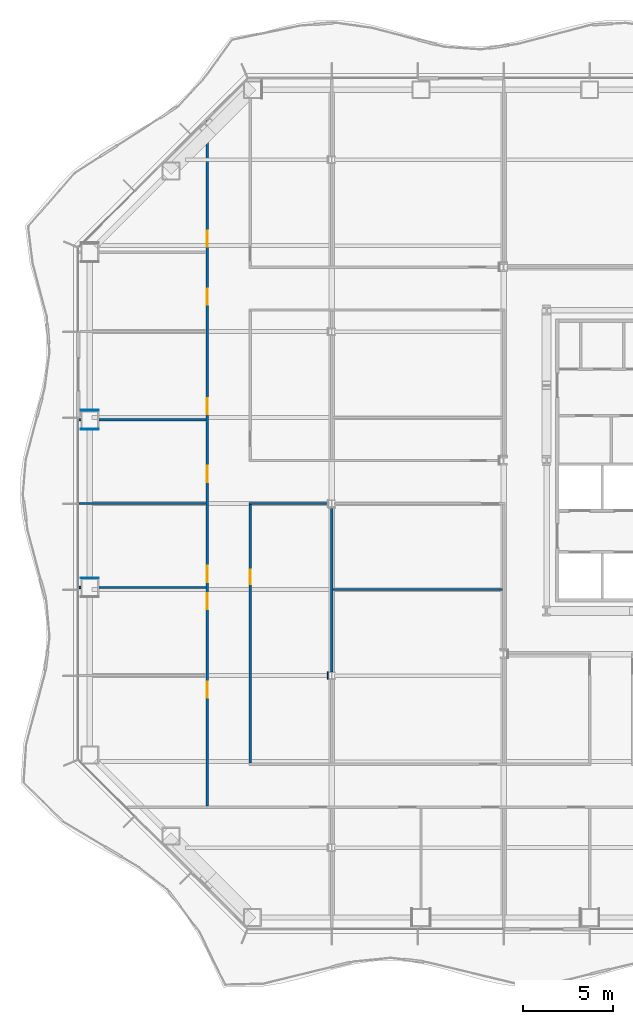
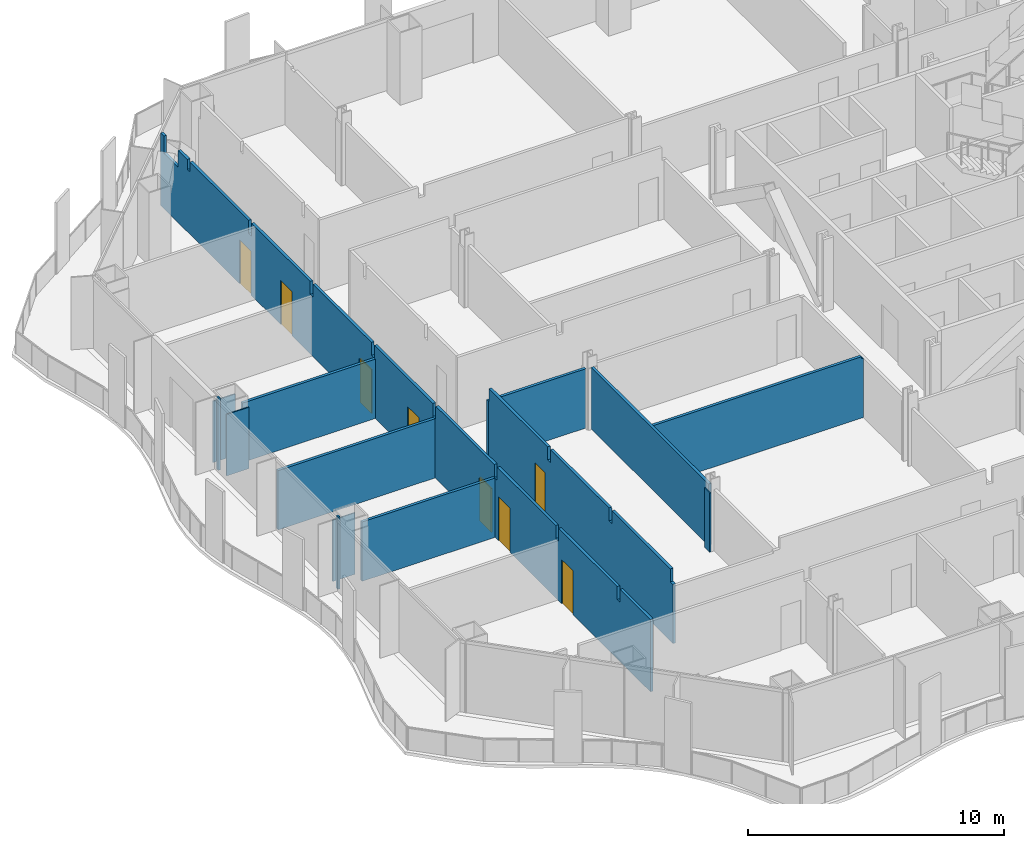
# One storey, part 8 of 20: 14 walls, 8 doors, 8 openings.
"""IFC4 building model written with IfcOpenShell, lengths in metres."""

from ifc_helpers import new_model, si_unit, direction, frame, frame_2d, origin, place, context, subcontext, project, spatial, polyline, rectangle, outline, extrude, material, layer, layer_set, type_object, element, fill, save


model = new_model("IFC4")

# Units and contexts
model_context = context("Model", 3, precision=1e-05, world=origin(), true_north=direction((0.0, 1.0)))
body_context = subcontext(model_context, "Body", "Model", "MODEL_VIEW")
ifc_project = project(units=[si_unit("LENGTHUNIT", "METRE"), si_unit("AREAUNIT", "SQUARE_METRE"), si_unit("VOLUMEUNIT", "CUBIC_METRE"), si_unit("PLANEANGLEUNIT", "RADIAN"), si_unit("MASSUNIT", "GRAM", prefix="KILO")], contexts=[model_context])

# Site, building, storey
site_placement = place(None, origin())
site = spatial("IfcSite", under=ifc_project, at=site_placement, CompositionType="ELEMENT")
building_placement = place(site_placement, origin())
building = spatial("IfcBuilding", under=site, at=building_placement, Name="Cairn Pilgrim Tower", CompositionType="ELEMENT")
storey_placement = place(building_placement, frame((0.0, 0.0, 51.0)))
storey = spatial("IfcBuildingStorey", under=building, at=storey_placement, Name="L10", CompositionType="ELEMENT", Elevation=51.0)

# Wall, openings, doors
ifc_material_1 = material(Name="Gypsum partition")
ifc_layer_1 = layer(ifc_material_1, 0.125)
ifc_layer_set_1 = layer_set([ifc_layer_1], Name="PARTITION 125 DRYWALL EI 60")
wall_type_1 = type_object("IfcWallType", Name="PARTITION 125 DRYWALL EI 60", PredefinedType="PARTITIONING", material=ifc_layer_set_1)
wall_1_placement = place(storey_placement, frame((-21.35009765625, -16.887451171875, 0.0), z_axis=(0.0, 0.0, 1.0), x_axis=(0.0, 1.0, 0.0)))
wall_1 = element("IfcWall", 1, at=wall_1_placement, inside=storey, type_object=wall_type_1, Name="PARTITION W014", PredefinedType="PARTITIONING", context=body_context, shape_type="SweptSolid", body=[
    extrude(outline(polyline([(0.0, 0.0), (38.276123046875, 0.0), (38.276123046875, 3.449951171875), (38.022216796875, 3.449951171875), (38.020263671875, 2.6298828125), (36.9072265625, 2.6298828125), (36.9052734375, 3.449951171875), (36.1826171875, 3.449951171875), (36.180419921875, 2.97998046875), (35.992431640625, 2.97998046875), (35.990478515625, 3.449951171875), (31.3974609375, 3.449951171875), (31.3955078125, 2.830078125), (31.177490234375, 2.830078125), (31.175537109375, 3.449951171875), (26.597412109375, 3.449951171875), (26.595458984375, 2.830078125), (26.37744140625, 2.830078125), (26.37548828125, 3.449951171875), (21.797607421875, 3.449951171875), (21.79541015625, 2.830078125), (21.577392578125, 2.830078125), (21.575439453125, 3.449951171875), (16.99755859375, 3.449951171875), (16.99560546875, 2.830078125), (16.777587890625, 2.830078125), (16.775390625, 3.449951171875), (12.197509765625, 3.449951171875), (12.195556640625, 2.830078125), (11.9775390625, 2.830078125), (11.9755859375, 3.449951171875), (7.3974609375, 3.449951171875), (7.3955078125, 2.830078125), (7.177490234375, 2.830078125), (7.175537109375, 3.449951171875), (2.597412109375, 3.449951171875), (2.595458984375, 2.830078125), (2.37744140625, 2.830078125), (2.37548828125, 3.449951171875), (0.0, 3.449951171875), (0.0, 0.0)])), frame((0.0, 0.0625, 0.0), z_axis=(0.0, -1.0, 0.0), x_axis=(1.0, 0.0, 0.0)), (0.0, 0.0, 1.0), 0.125),
])
opening_1_placement = place(wall_1_placement, frame((6.03759765625, 0.0, 0.0)))
opening_1 = element("IfcOpeningElement", 2, at=opening_1_placement, cuts=wall_1, Name="Opening 1009", PredefinedType="OPENING", context=body_context, shape_type="SweptSolid", body=[
    extrude(rectangle(XDim=0.89990234375, YDim=2.10009765625, at=frame_2d((0.449951171875, 1.050048828125))), frame((0.0, 0.072509765625, 0.0), z_axis=(0.0, -1.0, 0.0), x_axis=(1.0, 0.0, 0.0)), (0.0, 0.0, 1.0), 0.14501953125),
])
opening_2_placement = place(wall_1_placement, frame((10.987548828125, 0.0, 0.0)))
opening_2 = element("IfcOpeningElement", 3, at=opening_2_placement, cuts=wall_1, Name="Opening 1010", PredefinedType="OPENING", context=body_context, shape_type="SweptSolid", body=[
    extrude(rectangle(XDim=0.89990234375, YDim=2.10009765625, at=frame_2d((0.449951171875, 1.050048828125))), frame((0.0, 0.072509765625, 0.0), z_axis=(0.0, -1.0, 0.0), x_axis=(1.0, 0.0, 0.0)), (0.0, 0.0, 1.0), 0.14501953125),
])
opening_3_placement = place(wall_1_placement, frame((12.511474609375, 0.0, 0.0)))
opening_3 = element("IfcOpeningElement", 4, at=opening_3_placement, cuts=wall_1, Name="Opening 1011", PredefinedType="OPENING", context=body_context, shape_type="SweptSolid", body=[
    extrude(rectangle(XDim=0.89990234375, YDim=2.10009765625, at=frame_2d((0.449951171875, 1.050048828125))), frame((0.0, 0.072509765625, 0.0), z_axis=(0.0, -1.0, 0.0), x_axis=(1.0, 0.0, 0.0)), (0.0, 0.0, 1.0), 0.14501953125),
])
opening_4_placement = place(wall_1_placement, frame((18.08740234375, 0.0, 0.0)))
opening_4 = element("IfcOpeningElement", 5, at=opening_4_placement, cuts=wall_1, Name="Opening 1012", PredefinedType="OPENING", context=body_context, shape_type="SweptSolid", body=[
    extrude(rectangle(XDim=0.89990234375, YDim=2.10009765625, at=frame_2d((0.449951171875, 1.050048828125))), frame((0.0, 0.072509765625, 0.0), z_axis=(0.0, -1.0, 0.0), x_axis=(1.0, 0.0, 0.0)), (0.0, 0.0, 1.0), 0.14501953125),
])
opening_5_placement = place(wall_1_placement, frame((21.863525390625, 0.0, 0.0)))
opening_5 = element("IfcOpeningElement", 6, at=opening_5_placement, cuts=wall_1, Name="Opening 1013", PredefinedType="OPENING", context=body_context, shape_type="SweptSolid", body=[
    extrude(rectangle(XDim=0.89990234375, YDim=2.10009765625, at=frame_2d((0.449951171875, 1.050048828125))), frame((0.0, 0.072509765625, 0.0), z_axis=(0.0, -1.0, 0.0), x_axis=(1.0, 0.0, 0.0)), (0.0, 0.0, 1.0), 0.14501953125),
])
opening_6_placement = place(wall_1_placement, frame((27.987548828125, 0.0, 0.0)))
opening_6 = element("IfcOpeningElement", 7, at=opening_6_placement, cuts=wall_1, Name="Opening 1014", PredefinedType="OPENING", context=body_context, shape_type="SweptSolid", body=[
    extrude(rectangle(XDim=0.89990234375, YDim=2.10009765625, at=frame_2d((0.449951171875, 1.050048828125))), frame((0.0, 0.072509765625, 0.0), z_axis=(0.0, -1.0, 0.0), x_axis=(1.0, 0.0, 0.0)), (0.0, 0.0, 1.0), 0.14501953125),
])
opening_7_placement = place(wall_1_placement, frame((31.214599609375, 0.0, 0.0)))
opening_7 = element("IfcOpeningElement", 8, at=opening_7_placement, cuts=wall_1, Name="Opening 1015", PredefinedType="OPENING", context=body_context, shape_type="SweptSolid", body=[
    extrude(rectangle(XDim=0.89990234375, YDim=2.10009765625, at=frame_2d((0.449951171875, 1.050048828125))), frame((0.0, 0.072509765625, 0.0), z_axis=(0.0, -1.0, 0.0), x_axis=(1.0, 0.0, 0.0)), (0.0, 0.0, 1.0), 0.14501953125),
])
ifc_material_2 = material(Name="Steel-faced fire door leaf", Category="steel")
door_type_1 = type_object("IfcDoorType", Name="FIRE DOOR 900x2100 FD30S", OperationType="NOTDEFINED", PredefinedType="DOOR", material=ifc_material_2)
door_1_placement = place(opening_1_placement, origin())
door_1 = element("IfcDoor", 9, at=door_1_placement, inside=storey, type_object=door_type_1, Name="DOOR 1009", OperationType="SINGLE_SWING_RIGHT", OverallHeight=2.10009765625, OverallWidth=0.89990234375, PredefinedType="DOOR", context=body_context, shape_type="SweptSolid", body=[
    extrude(rectangle(XDim=0.89990234375, YDim=2.10009765625, at=frame_2d((0.449951171875, 1.050048828125))), frame((0.0, 0.02490234375, 0.0), z_axis=(0.0, -1.0, 0.0), x_axis=(1.0, 0.0, 0.0)), (0.0, 0.0, 1.0), 0.050048828125),
])
fill(opening_1, door_1)
door_2_placement = place(opening_2_placement, origin())
door_2 = element("IfcDoor", 10, at=door_2_placement, inside=storey, type_object=door_type_1, Name="DOOR 1010", OperationType="SINGLE_SWING_LEFT", OverallHeight=2.10009765625, OverallWidth=0.89990234375, PredefinedType="DOOR", context=body_context, shape_type="SweptSolid", body=[
    extrude(rectangle(XDim=0.89990234375, YDim=2.10009765625, at=frame_2d((0.449951171875, 1.050048828125))), frame((0.0, 0.02490234375, 0.0), z_axis=(0.0, -1.0, 0.0), x_axis=(1.0, 0.0, 0.0)), (0.0, 0.0, 1.0), 0.050048828125),
])
fill(opening_2, door_2)
door_3_placement = place(opening_3_placement, origin())
door_3 = element("IfcDoor", 11, at=door_3_placement, inside=storey, type_object=door_type_1, Name="DOOR 1011", OperationType="SINGLE_SWING_RIGHT", OverallHeight=2.10009765625, OverallWidth=0.89990234375, PredefinedType="DOOR", context=body_context, shape_type="SweptSolid", body=[
    extrude(rectangle(XDim=0.89990234375, YDim=2.10009765625, at=frame_2d((0.449951171875, 1.050048828125))), frame((0.0, 0.02490234375, 0.0), z_axis=(0.0, -1.0, 0.0), x_axis=(1.0, 0.0, 0.0)), (0.0, 0.0, 1.0), 0.050048828125),
])
fill(opening_3, door_3)
door_4_placement = place(opening_4_placement, origin())
door_4 = element("IfcDoor", 12, at=door_4_placement, inside=storey, type_object=door_type_1, Name="DOOR 1012", OperationType="SINGLE_SWING_LEFT", OverallHeight=2.10009765625, OverallWidth=0.89990234375, PredefinedType="DOOR", context=body_context, shape_type="SweptSolid", body=[
    extrude(rectangle(XDim=0.89990234375, YDim=2.10009765625, at=frame_2d((0.449951171875, 1.050048828125))), frame((0.0, 0.02490234375, 0.0), z_axis=(0.0, -1.0, 0.0), x_axis=(1.0, 0.0, 0.0)), (0.0, 0.0, 1.0), 0.050048828125),
])
fill(opening_4, door_4)
door_5_placement = place(opening_5_placement, origin())
door_5 = element("IfcDoor", 13, at=door_5_placement, inside=storey, type_object=door_type_1, Name="DOOR 1013", OperationType="SINGLE_SWING_RIGHT", OverallHeight=2.10009765625, OverallWidth=0.89990234375, PredefinedType="DOOR", context=body_context, shape_type="SweptSolid", body=[
    extrude(rectangle(XDim=0.89990234375, YDim=2.10009765625, at=frame_2d((0.449951171875, 1.050048828125))), frame((0.0, 0.02490234375, 0.0), z_axis=(0.0, -1.0, 0.0), x_axis=(1.0, 0.0, 0.0)), (0.0, 0.0, 1.0), 0.050048828125),
])
fill(opening_5, door_5)
door_6_placement = place(opening_6_placement, origin())
door_6 = element("IfcDoor", 14, at=door_6_placement, inside=storey, type_object=door_type_1, Name="DOOR 1014", OperationType="SINGLE_SWING_LEFT", OverallHeight=2.10009765625, OverallWidth=0.89990234375, PredefinedType="DOOR", context=body_context, shape_type="SweptSolid", body=[
    extrude(rectangle(XDim=0.89990234375, YDim=2.10009765625, at=frame_2d((0.449951171875, 1.050048828125))), frame((0.0, 0.02490234375, 0.0), z_axis=(0.0, -1.0, 0.0), x_axis=(1.0, 0.0, 0.0)), (0.0, 0.0, 1.0), 0.050048828125),
])
fill(opening_6, door_6)
door_7_placement = place(opening_7_placement, origin())
door_7 = element("IfcDoor", 15, at=door_7_placement, inside=storey, type_object=door_type_1, Name="DOOR 1015", OperationType="SINGLE_SWING_RIGHT", OverallHeight=2.10009765625, OverallWidth=0.89990234375, PredefinedType="DOOR", context=body_context, shape_type="SweptSolid", body=[
    extrude(rectangle(XDim=0.89990234375, YDim=2.10009765625, at=frame_2d((0.449951171875, 1.050048828125))), frame((0.0, 0.02490234375, 0.0), z_axis=(0.0, -1.0, 0.0), x_axis=(1.0, 0.0, 0.0)), (0.0, 0.0, 1.0), 0.050048828125),
])
fill(opening_7, door_7)

# Wall, opening, door
wall_2_placement = place(storey_placement, frame((-18.949951171875, -14.487548828125, 0.0), z_axis=(0.0, 0.0, 1.0), x_axis=(0.0, 1.0, 0.0)))
wall_2 = element("IfcWall", 16, at=wall_2_placement, inside=storey, type_object=wall_type_1, Name="PARTITION W018", PredefinedType="PARTITIONING", context=body_context, shape_type="SweptSolid", body=[
    extrude(outline(polyline([(0.0, 0.0), (14.425048828125, 0.0), (14.425048828125, 2.830078125), (14.37744140625, 2.830078125), (14.37548828125, 3.449951171875), (9.797607421875, 3.449951171875), (9.79541015625, 2.830078125), (9.577392578125, 2.830078125), (9.575439453125, 3.449951171875), (4.99755859375, 3.449951171875), (4.99560546875, 2.830078125), (4.777587890625, 2.830078125), (4.775390625, 3.449951171875), (0.197509765625, 3.449951171875), (0.195556640625, 2.830078125), (0.0, 2.830078125), (0.0, 0.0)])), frame((0.0, 0.0625, 0.0), z_axis=(0.0, -1.0, 0.0), x_axis=(1.0, 0.0, 0.0)), (0.0, 0.0, 1.0), 0.125),
])
opening_8_placement = place(wall_2_placement, frame((9.987548828125, 0.0, 0.0)))
opening_8 = element("IfcOpeningElement", 17, at=opening_8_placement, cuts=wall_2, Name="Opening 1032", PredefinedType="OPENING", context=body_context, shape_type="SweptSolid", body=[
    extrude(rectangle(XDim=0.800048828125, YDim=2.10009765625, at=frame_2d((0.39990234375, 1.050048828125))), frame((0.0, 0.072509765625, 0.0), z_axis=(0.0, -1.0, 0.0), x_axis=(1.0, 0.0, 0.0)), (0.0, 0.0, 1.0), 0.14501953125),
])
door_type_2 = type_object("IfcDoorType", Name="FIRE DOOR 800x2100 FD30S", OperationType="NOTDEFINED", PredefinedType="DOOR", material=ifc_material_2)
door_8_placement = place(opening_8_placement, frame((0.800048828125, 0.0, 0.0), z_axis=(0.0, 0.0, 1.0), x_axis=(-1.0, 0.0, 0.0)))
door_8 = element("IfcDoor", 18, at=door_8_placement, inside=storey, type_object=door_type_2, Name="DOOR 1032", OperationType="SINGLE_SWING_LEFT", OverallHeight=2.10009765625, OverallWidth=0.800048828125, PredefinedType="DOOR", context=body_context, shape_type="SweptSolid", body=[
    extrude(rectangle(XDim=0.800048828125, YDim=2.10009765625, at=frame_2d((0.39990234375, 1.050048828125))), frame((0.0, 0.02490234375, 0.0), z_axis=(0.0, -1.0, 0.0), x_axis=(1.0, 0.0, 0.0)), (0.0, 0.0, 1.0), 0.050048828125),
])
fill(opening_8, door_8)

# Walls
wall_3_placement = place(storey_placement, frame((-14.39990234375, -9.387451171875, 0.0), z_axis=(0.0, 0.0, 1.0), x_axis=(0.0, 1.0, 0.0)))
element("IfcWall", 19, at=wall_3_placement, inside=storey, type_object=wall_type_1, Name="PARTITION W030", PredefinedType="PARTITIONING", context=body_context, shape_type="SweptSolid", body=[
    extrude(rectangle(XDim=9.175048828125, YDim=0.125, at=frame_2d((4.58740234375, 0.0))), origin(), (0.0, 0.0, 1.0), 2.929931640625),
])
wall_4_placement = place(storey_placement, frame((-14.33740234375, -4.800048828125, 0.0), z_axis=(0.0, 0.0, 1.0), x_axis=(1.0, 0.0, 0.0)))
element("IfcWall", 20, at=wall_4_placement, inside=storey, type_object=wall_type_1, Name="PARTITION W037", PredefinedType="PARTITIONING", context=body_context, shape_type="SweptSolid", body=[
    extrude(outline(polyline([(0.0, 0.0), (9.474853515625, 0.0), (9.47509765625, 2.830078125), (9.387451171875, 2.830078125), (9.385498046875, 2.929931640625), (0.0, 2.929931640625), (0.0, 0.0)])), frame((0.0, 0.0625, 0.0), z_axis=(0.0, -1.0, 0.0), x_axis=(1.0, 0.0, 0.0)), (0.0, 0.0, 1.0), 0.125),
])
wall_5_placement = place(storey_placement, frame((-28.5029296875, -4.676025390625, 0.0), z_axis=(0.0, 0.0, 1.0), x_axis=(1.0, 0.0, 0.0)))
element("IfcWall", 21, at=wall_5_placement, inside=storey, type_object=wall_type_1, Name="PARTITION W038", PredefinedType="PARTITIONING", context=body_context, shape_type="SweptSolid", body=[
    extrude(rectangle(XDim=0.10302734375, YDim=0.125, at=frame_2d((0.051513671875, 0.0))), origin(), (0.0, 0.0, 1.0), 3.449951171875),
])
wall_6_placement = place(storey_placement, frame((-27.39990234375, -4.676025390625, 0.0), z_axis=(0.0, 0.0, 1.0), x_axis=(1.0, 0.0, 0.0)))
element("IfcWall", 22, at=wall_6_placement, inside=storey, type_object=wall_type_1, Name="PARTITION W039", PredefinedType="PARTITIONING", context=body_context, shape_type="SweptSolid", body=[
    extrude(rectangle(XDim=5.9873046875, YDim=0.125, at=frame_2d((2.99365234375, 0.0))), origin(), (0.0, 0.0, 1.0), 2.830078125),
])
wall_7_placement = place(storey_placement, frame((-28.489990234375, 0.0, 0.0), z_axis=(0.0, 0.0, 1.0), x_axis=(1.0, 0.0, 0.0)))
element("IfcWall", 23, at=wall_7_placement, inside=storey, type_object=wall_type_1, Name="PARTITION W044", PredefinedType="PARTITIONING", context=body_context, shape_type="SweptSolid", body=[
    extrude(rectangle(XDim=7.077392578125, YDim=0.125, at=frame_2d((3.53857421875, 0.0))), origin(), (0.0, 0.0, 1.0), 2.830078125),
])
wall_8_placement = place(storey_placement, frame((-19.012451171875, 0.0, 0.0), z_axis=(0.0, 0.0, 1.0), x_axis=(1.0, 0.0, 0.0)))
element("IfcWall", 24, at=wall_8_placement, inside=storey, type_object=wall_type_1, Name="PARTITION W045", PredefinedType="PARTITIONING", context=body_context, shape_type="SweptSolid", body=[
    extrude(rectangle(XDim=4.407958984375, YDim=0.125, at=frame_2d((2.2041015625, 0.0))), origin(), (0.0, 0.0, 1.0), 2.830078125),
])
wall_9_placement = place(storey_placement, frame((-28.5029296875, 4.676025390625, 0.0), z_axis=(0.0, 0.0, 1.0), x_axis=(1.0, 0.0, 0.0)))
element("IfcWall", 25, at=wall_9_placement, inside=storey, type_object=wall_type_1, Name="PARTITION W055", PredefinedType="PARTITIONING", context=body_context, shape_type="SweptSolid", body=[
    extrude(rectangle(XDim=0.10302734375, YDim=0.125, at=frame_2d((0.051513671875, 0.0))), origin(), (0.0, 0.0, 1.0), 3.449951171875),
])
wall_10_placement = place(storey_placement, frame((-27.39990234375, 4.676025390625, 0.0), z_axis=(0.0, 0.0, 1.0), x_axis=(1.0, 0.0, 0.0)))
element("IfcWall", 26, at=wall_10_placement, inside=storey, type_object=wall_type_1, Name="PARTITION W056", PredefinedType="PARTITIONING", context=body_context, shape_type="SweptSolid", body=[
    extrude(rectangle(XDim=5.9873046875, YDim=0.125, at=frame_2d((2.99365234375, 0.0))), origin(), (0.0, 0.0, 1.0), 2.830078125),
])
ifc_layer_2 = layer(ifc_material_1, 0.050048828125)
ifc_layer_set_2 = layer_set([ifc_layer_2], Name="PARTITION 50 DRYWALL EI 60")
wall_type_2 = type_object("IfcWallType", Name="PARTITION 50 DRYWALL EI 60", PredefinedType="PARTITIONING", material=ifc_layer_set_2)
wall_11_placement = place(storey_placement, frame((-14.62939453125, -9.8125, 0.0), z_axis=(0.0, 0.0, 1.0), x_axis=(0.0, 1.0, 0.0)))
element("IfcWall", 27, at=wall_11_placement, inside=storey, type_object=wall_type_2, Name="COLUMN CASING WC12", PredefinedType="PARTITIONING", context=body_context, shape_type="SweptSolid", body=[
    extrude(rectangle(XDim=0.425048828125, YDim=0.050048828125, at=frame_2d((0.21240234375, 0.0))), origin(), (0.0, 0.0, 1.0), 2.830078125),
])
for number, where, z_axis, x_axis, name in (
    (28, (-28.39990234375, -4.150634765625, 0.0), (0.0, 0.0, 1.0), (1.0, 0.0, 0.0), "COLUMN CASING WC17"),
    (29, (-28.39990234375, 5.20068359375, 0.0), (0.0, 0.0, 1.0), (1.0, 0.0, 0.0), "COLUMN CASING WC26"),
    (30, (-28.39990234375, 4.150634765625, 0.0), (0.0, 0.0, 1.0), (1.0, 0.0, 0.0), "COLUMN CASING WC27"),
):
    element("IfcWall", number, at=place(storey_placement, frame(where, z_axis=z_axis, x_axis=x_axis)), inside=storey, type_object=wall_type_2, Name=name, PredefinedType="PARTITIONING", context=body_context, shape_type="SweptSolid", body=[
        extrude(rectangle(XDim=1.0, YDim=0.050048828125, at=frame_2d((0.5, 0.0))), origin(), (0.0, 0.0, 1.0), 2.929931640625),
    ])

save(model, "model.ifc")
